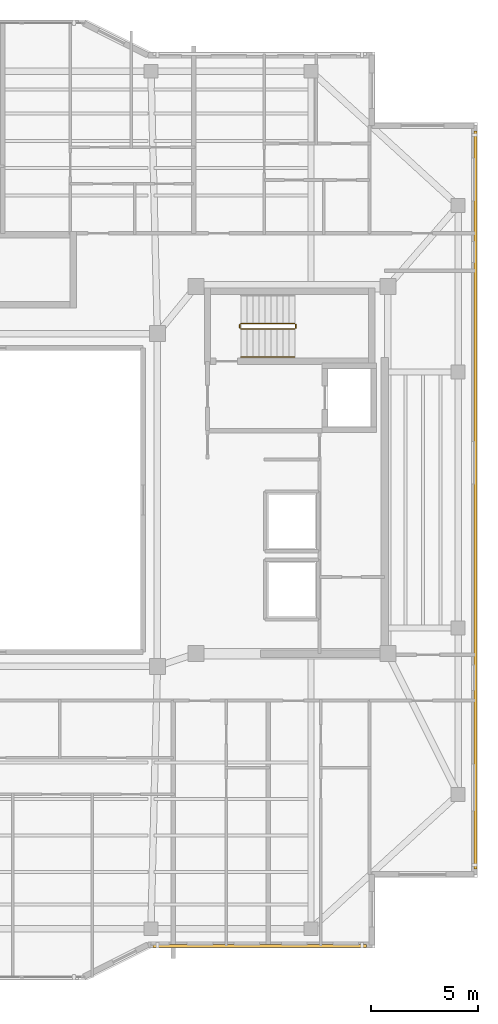
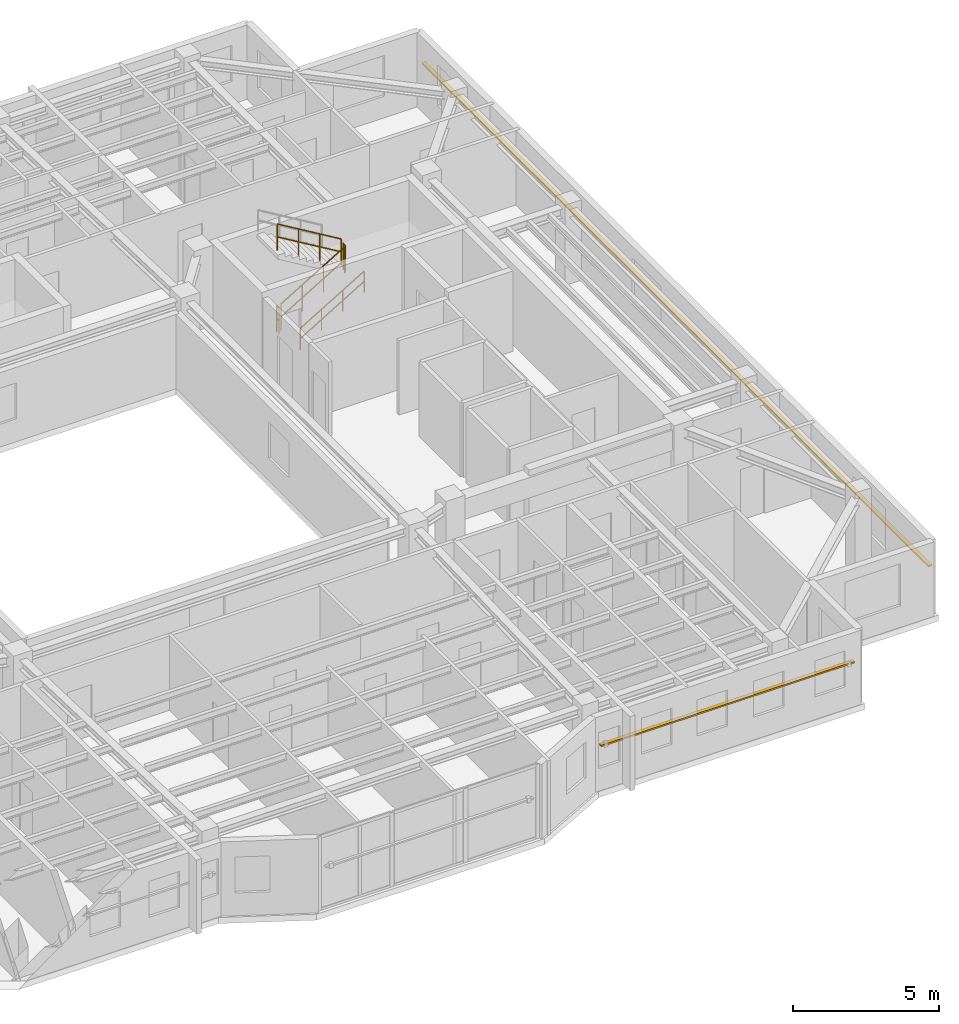
# One storey, part 13 of 14: 5 railings, 2 shading devices.
"""IFC4 building model written with IfcOpenShell, lengths in metres."""

from ifc_helpers import new_model, si_unit, direction, frame, origin, origin_2d, place, context, subcontext, project, spatial, rectangle, circle, extrude, material, material_profile, profile_set, type_object, element, save


model = new_model("IFC4")

# Units and contexts
model_context = context("Model", 3, precision=1e-05, world=origin(), true_north=direction((0.0, 1.0)))
body_context = subcontext(model_context, "Body", "Model", "MODEL_VIEW")
ifc_project = project(units=[si_unit("LENGTHUNIT", "METRE"), si_unit("AREAUNIT", "SQUARE_METRE"), si_unit("VOLUMEUNIT", "CUBIC_METRE"), si_unit("PLANEANGLEUNIT", "RADIAN"), si_unit("MASSUNIT", "GRAM", prefix="KILO")], contexts=[model_context])

# Site, building, storey
site_placement = place(None, origin())
site = spatial("IfcSite", under=ifc_project, at=site_placement, CompositionType="ELEMENT")
building_placement = place(site_placement, origin())
building = spatial("IfcBuilding", under=site, at=building_placement, Name="Tarnavaz Court Tower", CompositionType="ELEMENT")
storey_placement = place(building_placement, frame((0.0, 0.0, 264.949951171875)))
storey = spatial("IfcBuildingStorey", under=building, at=storey_placement, Name="L72", CompositionType="ELEMENT", Elevation=264.949951171875)

# Railings
ifc_material_1 = material(Name="Brushed Stainless Steel", Category="steel")
railing_type_1 = type_object("IfcRailingType", Name="RL-HANDRAIL-900", PredefinedType="HANDRAIL", material=ifc_material_1)
railing_1_placement = place(storey_placement, frame((11.719970703125, 6.699951171875, 0.16748046875)))
element("IfcRailing", 1, at=railing_1_placement, inside=storey, type_object=railing_type_1, Name="L72 ST-E1 stair handrail 1", PredefinedType="HANDRAIL", context=body_context, shape_type="SweptSolid", body=[
    extrude(circle(Radius=0.02392578125, at=origin_2d()), frame((0.0, 0.0, 0.8759765625), z_axis=(0.858159760407, 0.0, 0.513382728203), x_axis=(0.0, 1.0, 0.0)), (0.0, 0.0, 1.0), 2.9365234375),
    extrude(circle(Radius=0.02392578125, at=origin_2d()), frame((0.0, 0.0, 0.449951171875), z_axis=(0.858159760407, 0.0, 0.513382728203), x_axis=(0.0, 1.0, 0.0)), (0.0, 0.0, 1.0), 2.9365234375),
    extrude(circle(Radius=0.02099609375, at=origin_2d()), origin(), (0.0, 0.0, 1.0), 0.851806640625),
    extrude(circle(Radius=0.02099609375, at=origin_2d()), frame((0.840087890625, 0.0, 0.50244140625)), (0.0, 0.0, 1.0), 0.851806640625),
    extrude(circle(Radius=0.02099609375, at=origin_2d()), frame((1.679931640625, 0.0, 1.005126953125)), (0.0, 0.0, 1.0), 0.851806640625),
    extrude(circle(Radius=0.02099609375, at=origin_2d()), frame((2.52001953125, 0.0, 1.507568359375)), (0.0, 0.0, 1.0), 0.851806640625),
])
ifc_material_2 = material(Name="Galvanized Painted Tubular Steel", Category="steel")
railing_type_2 = type_object("IfcRailingType", Name="RL-STGUARD-1120", PredefinedType="GUARDRAIL", material=ifc_material_2)
railing_2_placement = place(storey_placement, frame((11.719970703125, 8.02001953125, 0.16748046875)))
element("IfcRailing", 2, at=railing_2_placement, inside=storey, type_object=railing_type_2, Name="L72 ST-E1 stair guard 1", PredefinedType="GUARDRAIL", context=body_context, shape_type="SweptSolid", body=[
    extrude(circle(Radius=0.02392578125, at=origin_2d()), frame((0.0, 0.0, 1.09619140625), z_axis=(0.858159760407, 0.0, 0.513382728203), x_axis=(0.0, 1.0, 0.0)), (0.0, 0.0, 1.0), 2.9365234375),
    extrude(circle(Radius=0.02392578125, at=origin_2d()), frame((0.0, 0.0, 0.56005859375), z_axis=(0.858159760407, 0.0, 0.513382728203), x_axis=(0.0, 1.0, 0.0)), (0.0, 0.0, 1.0), 2.9365234375),
    extrude(circle(Radius=0.02099609375, at=origin_2d()), origin(), (0.0, 0.0, 1.0), 1.072021484375),
    extrude(circle(Radius=0.02099609375, at=origin_2d()), frame((0.840087890625, 0.0, 0.50244140625)), (0.0, 0.0, 1.0), 1.072021484375),
    extrude(circle(Radius=0.02099609375, at=origin_2d()), frame((1.679931640625, 0.0, 1.005126953125)), (0.0, 0.0, 1.0), 1.072021484375),
    extrude(circle(Radius=0.02099609375, at=origin_2d()), frame((2.52001953125, 0.0, 1.507568359375)), (0.0, 0.0, 1.0), 1.072021484375),
])
railing_3_placement = place(storey_placement, frame((14.2900390625, 8.070068359375, 1.675048828125)))
element("IfcRailing", 3, at=railing_3_placement, inside=storey, type_object=railing_type_2, Name="L72 ST-E1 stair guard 2", PredefinedType="GUARDRAIL", context=body_context, shape_type="SweptSolid", body=[
    extrude(circle(Radius=0.02392578125, at=origin_2d()), frame((0.0, 0.0, 1.09619140625), z_axis=(0.0, 1.0, 0.0), x_axis=(-1.0, 0.0, 0.0)), (0.0, 0.0, 1.0), 0.14990234375),
    extrude(circle(Radius=0.02392578125, at=origin_2d()), frame((0.0, 0.0, 0.56005859375), z_axis=(0.0, 1.0, 0.0), x_axis=(-1.0, 0.0, 0.0)), (0.0, 0.0, 1.0), 0.14990234375),
    extrude(circle(Radius=0.02099609375, at=origin_2d()), origin(), (0.0, 0.0, 1.0), 1.072021484375),
    extrude(circle(Radius=0.02099609375, at=origin_2d()), frame((0.0, 0.14990234375, 0.0)), (0.0, 0.0, 1.0), 1.072021484375),
])
railing_4_placement = place(storey_placement, frame((14.239990234375, 8.27001953125, 1.842529296875)))
element("IfcRailing", 4, at=railing_4_placement, inside=storey, type_object=railing_type_2, Name="L72 ST-E1 stair guard 3", PredefinedType="GUARDRAIL", context=body_context, shape_type="SweptSolid", body=[
    extrude(circle(Radius=0.02392578125, at=origin_2d()), frame((0.0, 0.0, 1.09619140625), z_axis=(-0.858159760407, 0.0, 0.513382728203), x_axis=(0.0, -1.0, 0.0)), (0.0, 0.0, 1.0), 2.9365234375),
    extrude(circle(Radius=0.02392578125, at=origin_2d()), frame((0.0, 0.0, 0.56005859375), z_axis=(-0.858159760407, 0.0, 0.513382728203), x_axis=(0.0, -1.0, 0.0)), (0.0, 0.0, 1.0), 2.9365234375),
    extrude(circle(Radius=0.02099609375, at=origin_2d()), origin(), (0.0, 0.0, 1.0), 1.072021484375),
    extrude(circle(Radius=0.02099609375, at=origin_2d()), frame((-0.840087890625, 0.0, 0.50244140625)), (0.0, 0.0, 1.0), 1.072021484375),
    extrude(circle(Radius=0.02099609375, at=origin_2d()), frame((-1.679931640625, 0.0, 1.005126953125)), (0.0, 0.0, 1.0), 1.072021484375),
    extrude(circle(Radius=0.02099609375, at=origin_2d()), frame((-2.52001953125, 0.0, 1.507568359375)), (0.0, 0.0, 1.0), 1.072021484375),
])
railing_5_placement = place(storey_placement, frame((11.669921875, 8.070068359375, 0.0)))
element("IfcRailing", 5, at=railing_5_placement, inside=storey, type_object=railing_type_2, Name="L72 ST-E1 stair guard 4", PredefinedType="GUARDRAIL", context=body_context, shape_type="SweptSolid", body=[
    extrude(circle(Radius=0.02392578125, at=origin_2d()), frame((0.0, 0.0, 1.09619140625), z_axis=(0.0, 1.0, 0.0), x_axis=(-1.0, 0.0, 0.0)), (0.0, 0.0, 1.0), 0.14990234375),
    extrude(circle(Radius=0.02392578125, at=origin_2d()), frame((0.0, 0.0, 0.56005859375), z_axis=(0.0, 1.0, 0.0), x_axis=(-1.0, 0.0, 0.0)), (0.0, 0.0, 1.0), 0.14990234375),
    extrude(circle(Radius=0.02099609375, at=origin_2d()), origin(), (0.0, 0.0, 1.0), 1.072021484375),
    extrude(circle(Radius=0.02099609375, at=origin_2d()), frame((0.0, 0.14990234375, 0.0)), (0.0, 0.0, 1.0), 1.072021484375),
])

# Shading devices
ifc_material_3 = material(Name="Kiln-Fired Khorasan Terracotta Ceramic", Category="masonry")
ifc_material_profile = material_profile(ifc_material_3, rectangle(XDim=0.14990234375, YDim=0.06494140625, at=origin_2d()), Name="TC BAGUETTE 150X65")
ifc_profile_set = profile_set([ifc_material_profile], Name="Kiln-Fired Khorasan Terracotta Ceramic")
shading_device_type = type_object("IfcShadingDeviceType", Name="SD-BAG-150", PredefinedType="USERDEFINED", material=ifc_profile_set)
shading_device_1_placement = place(storey_placement, frame((22.7099609375, 17.300048828125, 1.85009765625), z_axis=(0.0, -1.0, 0.0), x_axis=(1.0, 0.0, 0.0)))
element("IfcShadingDevice", 6, at=shading_device_1_placement, inside=storey, type_object=shading_device_type, Name="L72 Terracotta Baguette Screen FBG12", ObjectType="BAGUETTE", PredefinedType="USERDEFINED", context=body_context, shape_type="SweptSolid", body=[
    extrude(rectangle(XDim=0.14990234375, YDim=0.06494140625, at=origin_2d()), origin(), (0.0, 0.0, 1.0), 34.60009765625),
])
shading_device_2_placement = place(storey_placement, frame((17.60009765625, -20.909912109375, 1.85009765625), z_axis=(-1.0, 0.0, 0.0), x_axis=(0.0, -1.0, 0.0)))
element("IfcShadingDevice", 7, at=shading_device_2_placement, inside=storey, type_object=shading_device_type, Name="L72 Terracotta Baguette Screen FBG15", ObjectType="BAGUETTE", PredefinedType="USERDEFINED", context=body_context, shape_type="SweptSolid", body=[
    extrude(rectangle(XDim=0.14990234375, YDim=0.06494140625, at=origin_2d()), origin(), (0.0, 0.0, 1.0), 10.0),
])

save(model, "model.ifc")
